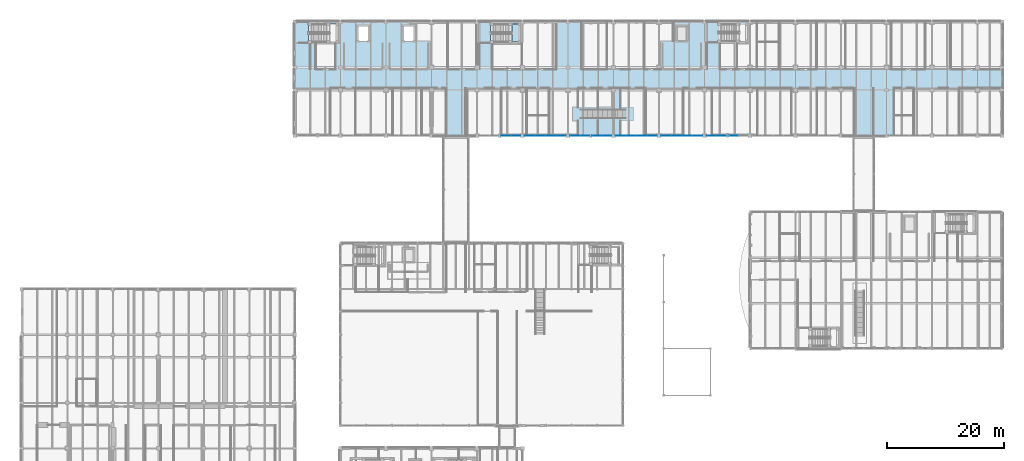
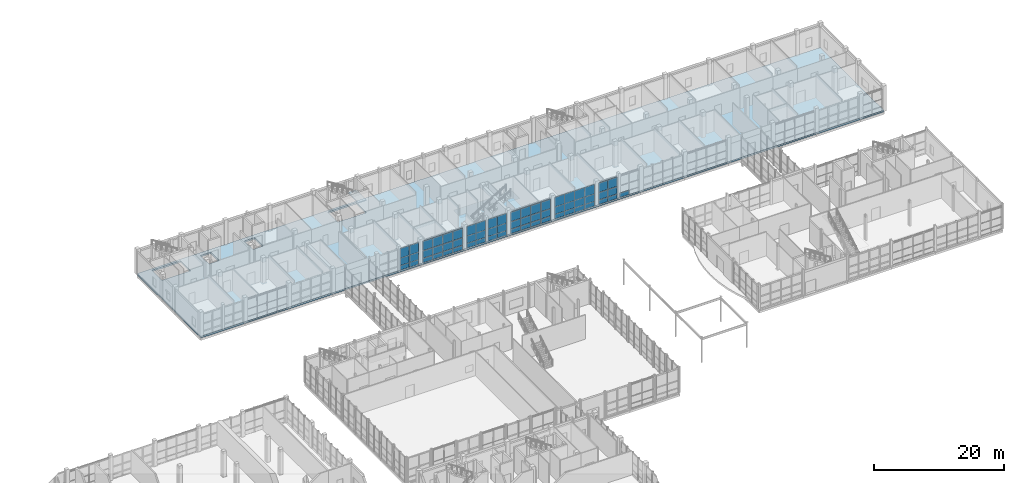
# One storey, part 80 of 131: 61 plates, 2 slabs, 9 elements without a shape of their own.
"""IFC4 building model written with IfcOpenShell, lengths in metres."""

from ifc_helpers import new_model, si_unit, direction, frame, origin, origin_2d, place, context, subcontext, project, spatial, polyline, rectangle, outline, extrude, material, layer, layer_set, type_object, element, aggregate, save


model = new_model("IFC4")

# Units and contexts
model_context = context("Model", 3, precision=1e-05, world=origin(), true_north=direction((0.0, 1.0)))
body_context = subcontext(model_context, "Body", "Model", "MODEL_VIEW")
ifc_project = project(units=[si_unit("LENGTHUNIT", "METRE"), si_unit("AREAUNIT", "SQUARE_METRE"), si_unit("VOLUMEUNIT", "CUBIC_METRE"), si_unit("PLANEANGLEUNIT", "RADIAN"), si_unit("MASSUNIT", "GRAM", prefix="KILO")], contexts=[model_context])

# Site, building, storey
site_placement = place(None, origin())
site = spatial("IfcSite", under=ifc_project, at=site_placement, CompositionType="ELEMENT")
building_placement = place(site_placement, origin())
building = spatial("IfcBuilding", under=site, at=building_placement, Name="Celorna Specialist Clinic", CompositionType="ELEMENT")
storey_placement = place(building_placement, origin())
storey = spatial("IfcBuildingStorey", under=building, at=storey_placement, Name="L00", CompositionType="ELEMENT", Elevation=0.0)

# Curtain wall, plates
ifc_material_1 = material(Name="Thermally broken aluminium and solar-control glass curtain wall", Category="aluminium")
ifc_layer_1 = layer(ifc_material_1, 0.159912109375, Name="Thermally broken aluminium and solar-control glass curtain wall")
ifc_layer_set_1 = layer_set([ifc_layer_1], Name="Thermally broken aluminium and solar-control glass curtain wall")
curtain_wall_type_1 = type_object("IfcCurtainWallType", Name="CW-48", PredefinedType="NOTDEFINED", material=ifc_layer_set_1)
curtain_wall_1_placement = place(storey_placement, origin())
curtain_wall_1 = element("IfcCurtainWall", 1, at=curtain_wall_1_placement, inside=storey, type_object=curtain_wall_type_1, Name="Curtain wall CW-48 #92", PredefinedType="NOTDEFINED")
ifc_material_2 = material(Name="Low-e double glazing", Category="glass")
ifc_layer_2 = layer(ifc_material_2, 0.028076171875, Name="Low-e double glazing")
ifc_layer_set_2 = layer_set([ifc_layer_2], Name="Low-e double glazing")
plate_type_1 = type_object("IfcPlateType", Name="CPN-01", PredefinedType="CURTAIN_PANEL", material=ifc_layer_set_2)
plate_1_placement = place(storey_placement, frame((92.36572265625, 96.5, 0.0498046875), z_axis=(0.0, 0.0, 1.0), x_axis=(-1.0, 0.0, 0.0)))
plate_1 = element("IfcPlate", 2, at=plate_1_placement, type_object=plate_type_1, Name="CW-48 panel 1.1", PredefinedType="CURTAIN_PANEL", context=body_context, shape_type="SweptSolid", body=[
    extrude(rectangle(XDim=1.71044921875, YDim=0.028076171875, at=origin_2d()), origin(), (0.0, 0.0, 1.0), 0.824951171875),
])
plate_2_placement = place(storey_placement, frame((92.36572265625, 96.5, 0.925048828125), z_axis=(0.0, 0.0, 1.0), x_axis=(-1.0, 0.0, 0.0)))
plate_2 = element("IfcPlate", 3, at=plate_2_placement, type_object=plate_type_1, Name="CW-48 panel 1.2", PredefinedType="CURTAIN_PANEL", context=body_context, shape_type="SweptSolid", body=[
    extrude(rectangle(XDim=1.71044921875, YDim=0.028076171875, at=origin_2d()), origin(), (0.0, 0.0, 1.0), 1.35009765625),
])
plate_3_placement = place(storey_placement, frame((92.36572265625, 96.5, 2.3251953125), z_axis=(0.0, 0.0, 1.0), x_axis=(-1.0, 0.0, 0.0)))
plate_3 = element("IfcPlate", 4, at=plate_3_placement, type_object=plate_type_1, Name="CW-48 panel 1.3", PredefinedType="CURTAIN_PANEL", context=body_context, shape_type="SweptSolid", body=[
    extrude(rectangle(XDim=1.71044921875, YDim=0.028076171875, at=origin_2d()), origin(), (0.0, 0.0, 1.0), 1.764892578125),
])
plate_4_placement = place(storey_placement, frame((90.5927734375, 96.5, 0.0498046875), z_axis=(0.0, 0.0, 1.0), x_axis=(-1.0, 0.0, 0.0)))
plate_4 = element("IfcPlate", 5, at=plate_4_placement, type_object=plate_type_1, Name="CW-48 panel 2.1", PredefinedType="CURTAIN_PANEL", context=body_context, shape_type="SweptSolid", body=[
    extrude(rectangle(XDim=1.735595703125, YDim=0.028076171875, at=origin_2d()), origin(), (0.0, 0.0, 1.0), 0.824951171875),
])
plate_5_placement = place(storey_placement, frame((90.5927734375, 96.5, 0.925048828125), z_axis=(0.0, 0.0, 1.0), x_axis=(-1.0, 0.0, 0.0)))
plate_5 = element("IfcPlate", 6, at=plate_5_placement, type_object=plate_type_1, Name="CW-48 panel 2.2", PredefinedType="CURTAIN_PANEL", context=body_context, shape_type="SweptSolid", body=[
    extrude(rectangle(XDim=1.735595703125, YDim=0.028076171875, at=origin_2d()), origin(), (0.0, 0.0, 1.0), 1.35009765625),
])
plate_6_placement = place(storey_placement, frame((90.5927734375, 96.5, 2.3251953125), z_axis=(0.0, 0.0, 1.0), x_axis=(-1.0, 0.0, 0.0)))
plate_6 = element("IfcPlate", 7, at=plate_6_placement, type_object=plate_type_1, Name="CW-48 panel 2.3", PredefinedType="CURTAIN_PANEL", context=body_context, shape_type="SweptSolid", body=[
    extrude(rectangle(XDim=1.735595703125, YDim=0.028076171875, at=origin_2d()), origin(), (0.0, 0.0, 1.0), 1.764892578125),
])
plate_7_placement = place(storey_placement, frame((88.80712890625, 96.5, 0.0498046875), z_axis=(0.0, 0.0, 1.0), x_axis=(-1.0, 0.0, 0.0)))
plate_7 = element("IfcPlate", 8, at=plate_7_placement, type_object=plate_type_1, Name="CW-48 panel 3.1", PredefinedType="CURTAIN_PANEL", context=body_context, shape_type="SweptSolid", body=[
    extrude(rectangle(XDim=1.735595703125, YDim=0.028076171875, at=origin_2d()), origin(), (0.0, 0.0, 1.0), 0.824951171875),
])
plate_8_placement = place(storey_placement, frame((88.80712890625, 96.5, 0.925048828125), z_axis=(0.0, 0.0, 1.0), x_axis=(-1.0, 0.0, 0.0)))
plate_8 = element("IfcPlate", 9, at=plate_8_placement, type_object=plate_type_1, Name="CW-48 panel 3.2", PredefinedType="CURTAIN_PANEL", context=body_context, shape_type="SweptSolid", body=[
    extrude(rectangle(XDim=1.735595703125, YDim=0.028076171875, at=origin_2d()), origin(), (0.0, 0.0, 1.0), 1.35009765625),
])
plate_9_placement = place(storey_placement, frame((88.80712890625, 96.5, 2.3251953125), z_axis=(0.0, 0.0, 1.0), x_axis=(-1.0, 0.0, 0.0)))
plate_9 = element("IfcPlate", 10, at=plate_9_placement, type_object=plate_type_1, Name="CW-48 panel 3.3", PredefinedType="CURTAIN_PANEL", context=body_context, shape_type="SweptSolid", body=[
    extrude(rectangle(XDim=1.735595703125, YDim=0.028076171875, at=origin_2d()), origin(), (0.0, 0.0, 1.0), 1.764892578125),
])
plate_10_placement = place(storey_placement, frame((87.0341796875, 96.5, 0.0498046875), z_axis=(0.0, 0.0, 1.0), x_axis=(-1.0, 0.0, 0.0)))
plate_10 = element("IfcPlate", 11, at=plate_10_placement, type_object=plate_type_1, Name="CW-48 panel 4.1", PredefinedType="CURTAIN_PANEL", context=body_context, shape_type="SweptSolid", body=[
    extrude(rectangle(XDim=1.71044921875, YDim=0.028076171875, at=origin_2d()), origin(), (0.0, 0.0, 1.0), 0.824951171875),
])
plate_11_placement = place(storey_placement, frame((87.0341796875, 96.5, 0.925048828125), z_axis=(0.0, 0.0, 1.0), x_axis=(-1.0, 0.0, 0.0)))
plate_11 = element("IfcPlate", 12, at=plate_11_placement, type_object=plate_type_1, Name="CW-48 panel 4.2", PredefinedType="CURTAIN_PANEL", context=body_context, shape_type="SweptSolid", body=[
    extrude(rectangle(XDim=1.71044921875, YDim=0.028076171875, at=origin_2d()), origin(), (0.0, 0.0, 1.0), 1.35009765625),
])
plate_12_placement = place(storey_placement, frame((87.0341796875, 96.5, 2.3251953125), z_axis=(0.0, 0.0, 1.0), x_axis=(-1.0, 0.0, 0.0)))
plate_12 = element("IfcPlate", 13, at=plate_12_placement, type_object=plate_type_1, Name="CW-48 panel 4.3", PredefinedType="CURTAIN_PANEL", context=body_context, shape_type="SweptSolid", body=[
    extrude(rectangle(XDim=1.71044921875, YDim=0.028076171875, at=origin_2d()), origin(), (0.0, 0.0, 1.0), 1.764892578125),
])
aggregate(curtain_wall_1, [plate_1, plate_2, plate_3, plate_4, plate_5, plate_6, plate_7, plate_8, plate_9, plate_10, plate_11, plate_12])

curtain_wall_2_placement = place(storey_placement, origin())
curtain_wall_2 = element("IfcCurtainWall", 14, at=curtain_wall_2_placement, inside=storey, type_object=curtain_wall_type_1, Name="Curtain wall CW-48 #96", PredefinedType="NOTDEFINED")
plate_13_placement = place(storey_placement, frame((115.765869140625, 96.5, 0.0498046875), z_axis=(0.0, 0.0, 1.0), x_axis=(-1.0, 0.0, 0.0)))
plate_13 = element("IfcPlate", 15, at=plate_13_placement, type_object=plate_type_1, Name="CW-48 panel 1.1", PredefinedType="CURTAIN_PANEL", context=body_context, shape_type="SweptSolid", body=[
    extrude(rectangle(XDim=1.71044921875, YDim=0.028076171875, at=origin_2d()), origin(), (0.0, 0.0, 1.0), 0.824951171875),
])
plate_14_placement = place(storey_placement, frame((115.765869140625, 96.5, 0.925048828125), z_axis=(0.0, 0.0, 1.0), x_axis=(-1.0, 0.0, 0.0)))
plate_14 = element("IfcPlate", 16, at=plate_14_placement, type_object=plate_type_1, Name="CW-48 panel 1.2", PredefinedType="CURTAIN_PANEL", context=body_context, shape_type="SweptSolid", body=[
    extrude(rectangle(XDim=1.71044921875, YDim=0.028076171875, at=origin_2d()), origin(), (0.0, 0.0, 1.0), 1.35009765625),
])
plate_15_placement = place(storey_placement, frame((115.765869140625, 96.5, 2.3251953125), z_axis=(0.0, 0.0, 1.0), x_axis=(-1.0, 0.0, 0.0)))
plate_15 = element("IfcPlate", 17, at=plate_15_placement, type_object=plate_type_1, Name="CW-48 panel 1.3", PredefinedType="CURTAIN_PANEL", context=body_context, shape_type="SweptSolid", body=[
    extrude(rectangle(XDim=1.71044921875, YDim=0.028076171875, at=origin_2d()), origin(), (0.0, 0.0, 1.0), 1.764892578125),
])
plate_16_placement = place(storey_placement, frame((113.99267578125, 96.5, 0.0498046875), z_axis=(0.0, 0.0, 1.0), x_axis=(-1.0, 0.0, 0.0)))
plate_16 = element("IfcPlate", 18, at=plate_16_placement, type_object=plate_type_1, Name="CW-48 panel 2.1", PredefinedType="CURTAIN_PANEL", context=body_context, shape_type="SweptSolid", body=[
    extrude(rectangle(XDim=1.735595703125, YDim=0.028076171875, at=origin_2d()), origin(), (0.0, 0.0, 1.0), 0.824951171875),
])
plate_17_placement = place(storey_placement, frame((113.99267578125, 96.5, 0.925048828125), z_axis=(0.0, 0.0, 1.0), x_axis=(-1.0, 0.0, 0.0)))
plate_17 = element("IfcPlate", 19, at=plate_17_placement, type_object=plate_type_1, Name="CW-48 panel 2.2", PredefinedType="CURTAIN_PANEL", context=body_context, shape_type="SweptSolid", body=[
    extrude(rectangle(XDim=1.735595703125, YDim=0.028076171875, at=origin_2d()), origin(), (0.0, 0.0, 1.0), 1.35009765625),
])
plate_18_placement = place(storey_placement, frame((113.99267578125, 96.5, 2.3251953125), z_axis=(0.0, 0.0, 1.0), x_axis=(-1.0, 0.0, 0.0)))
plate_18 = element("IfcPlate", 20, at=plate_18_placement, type_object=plate_type_1, Name="CW-48 panel 2.3", PredefinedType="CURTAIN_PANEL", context=body_context, shape_type="SweptSolid", body=[
    extrude(rectangle(XDim=1.735595703125, YDim=0.028076171875, at=origin_2d()), origin(), (0.0, 0.0, 1.0), 1.764892578125),
])
plate_19_placement = place(storey_placement, frame((112.207275390625, 96.5, 0.0498046875), z_axis=(0.0, 0.0, 1.0), x_axis=(-1.0, 0.0, 0.0)))
plate_19 = element("IfcPlate", 21, at=plate_19_placement, type_object=plate_type_1, Name="CW-48 panel 3.1", PredefinedType="CURTAIN_PANEL", context=body_context, shape_type="SweptSolid", body=[
    extrude(rectangle(XDim=1.735595703125, YDim=0.028076171875, at=origin_2d()), origin(), (0.0, 0.0, 1.0), 0.824951171875),
])
plate_20_placement = place(storey_placement, frame((112.207275390625, 96.5, 0.925048828125), z_axis=(0.0, 0.0, 1.0), x_axis=(-1.0, 0.0, 0.0)))
plate_20 = element("IfcPlate", 22, at=plate_20_placement, type_object=plate_type_1, Name="CW-48 panel 3.2", PredefinedType="CURTAIN_PANEL", context=body_context, shape_type="SweptSolid", body=[
    extrude(rectangle(XDim=1.735595703125, YDim=0.028076171875, at=origin_2d()), origin(), (0.0, 0.0, 1.0), 1.35009765625),
])
plate_21_placement = place(storey_placement, frame((112.207275390625, 96.5, 2.3251953125), z_axis=(0.0, 0.0, 1.0), x_axis=(-1.0, 0.0, 0.0)))
plate_21 = element("IfcPlate", 23, at=plate_21_placement, type_object=plate_type_1, Name="CW-48 panel 3.3", PredefinedType="CURTAIN_PANEL", context=body_context, shape_type="SweptSolid", body=[
    extrude(rectangle(XDim=1.735595703125, YDim=0.028076171875, at=origin_2d()), origin(), (0.0, 0.0, 1.0), 1.764892578125),
])
plate_22_placement = place(storey_placement, frame((110.434326171875, 96.5, 0.0498046875), z_axis=(0.0, 0.0, 1.0), x_axis=(-1.0, 0.0, 0.0)))
plate_22 = element("IfcPlate", 24, at=plate_22_placement, type_object=plate_type_1, Name="CW-48 panel 4.1", PredefinedType="CURTAIN_PANEL", context=body_context, shape_type="SweptSolid", body=[
    extrude(rectangle(XDim=1.71044921875, YDim=0.028076171875, at=origin_2d()), origin(), (0.0, 0.0, 1.0), 0.824951171875),
])
plate_23_placement = place(storey_placement, frame((110.434326171875, 96.5, 0.925048828125), z_axis=(0.0, 0.0, 1.0), x_axis=(-1.0, 0.0, 0.0)))
plate_23 = element("IfcPlate", 25, at=plate_23_placement, type_object=plate_type_1, Name="CW-48 panel 4.2", PredefinedType="CURTAIN_PANEL", context=body_context, shape_type="SweptSolid", body=[
    extrude(rectangle(XDim=1.71044921875, YDim=0.028076171875, at=origin_2d()), origin(), (0.0, 0.0, 1.0), 1.35009765625),
])
plate_24_placement = place(storey_placement, frame((110.434326171875, 96.5, 2.3251953125), z_axis=(0.0, 0.0, 1.0), x_axis=(-1.0, 0.0, 0.0)))
plate_24 = element("IfcPlate", 26, at=plate_24_placement, type_object=plate_type_1, Name="CW-48 panel 4.3", PredefinedType="CURTAIN_PANEL", context=body_context, shape_type="SweptSolid", body=[
    extrude(rectangle(XDim=1.71044921875, YDim=0.028076171875, at=origin_2d()), origin(), (0.0, 0.0, 1.0), 1.764892578125),
])
aggregate(curtain_wall_2, [plate_13, plate_14, plate_15, plate_16, plate_17, plate_18, plate_19, plate_20, plate_21, plate_22, plate_23, plate_24])

ifc_layer_3 = layer(ifc_material_1, 0.159912109375, Name="Thermally broken aluminium and solar-control glass curtain wall")
ifc_layer_set_3 = layer_set([ifc_layer_3], Name="Thermally broken aluminium and solar-control glass curtain wall")
curtain_wall_type_2 = type_object("IfcCurtainWallType", Name="CW-46", PredefinedType="NOTDEFINED", material=ifc_layer_set_3)
curtain_wall_3_placement = place(storey_placement, origin())
curtain_wall_3 = element("IfcCurtainWall", 27, at=curtain_wall_3_placement, inside=storey, type_object=curtain_wall_type_2, Name="Curtain wall CW-46 #93", PredefinedType="NOTDEFINED")
ifc_material_3 = material(Name="Solar-control triple glazing", Category="glass")
ifc_layer_4 = layer(ifc_material_3, 0.035888671875, Name="Solar-control triple glazing")
ifc_layer_set_4 = layer_set([ifc_layer_4], Name="Solar-control triple glazing")
plate_type_2 = type_object("IfcPlateType", Name="CPN-02", PredefinedType="CURTAIN_PANEL", material=ifc_layer_set_4)
plate_25_placement = place(storey_placement, frame((100.21044921875, 96.5, 0.0498046875), z_axis=(0.0, 0.0, 1.0), x_axis=(-1.0, 0.0, 0.0)))
plate_25 = element("IfcPlate", 28, at=plate_25_placement, type_object=plate_type_2, Name="CW-46 panel 1.1", PredefinedType="CURTAIN_PANEL", context=body_context, shape_type="SweptSolid", body=[
    extrude(rectangle(XDim=1.62109375, YDim=0.035888671875, at=origin_2d()), origin(), (0.0, 0.0, 1.0), 0.824951171875),
])
plate_26_placement = place(storey_placement, frame((100.21044921875, 96.5, 0.925048828125), z_axis=(0.0, 0.0, 1.0), x_axis=(-1.0, 0.0, 0.0)))
plate_26 = element("IfcPlate", 29, at=plate_26_placement, type_object=plate_type_2, Name="CW-46 panel 1.2", PredefinedType="CURTAIN_PANEL", context=body_context, shape_type="SweptSolid", body=[
    extrude(rectangle(XDim=1.62109375, YDim=0.035888671875, at=origin_2d()), origin(), (0.0, 0.0, 1.0), 1.35009765625),
])
plate_27_placement = place(storey_placement, frame((100.21044921875, 96.5, 2.3251953125), z_axis=(0.0, 0.0, 1.0), x_axis=(-1.0, 0.0, 0.0)))
plate_27 = element("IfcPlate", 30, at=plate_27_placement, type_object=plate_type_2, Name="CW-46 panel 1.3", PredefinedType="CURTAIN_PANEL", context=body_context, shape_type="SweptSolid", body=[
    extrude(rectangle(XDim=1.62109375, YDim=0.035888671875, at=origin_2d()), origin(), (0.0, 0.0, 1.0), 1.764892578125),
])
plate_28_placement = place(storey_placement, frame((98.53955078125, 96.5, 0.0498046875), z_axis=(0.0, 0.0, 1.0), x_axis=(-1.0, 0.0, 0.0)))
plate_28 = element("IfcPlate", 31, at=plate_28_placement, type_object=plate_type_2, Name="CW-46 panel 2.1", PredefinedType="CURTAIN_PANEL", context=body_context, shape_type="SweptSolid", body=[
    extrude(rectangle(XDim=1.62109375, YDim=0.035888671875, at=origin_2d()), origin(), (0.0, 0.0, 1.0), 0.824951171875),
])
plate_29_placement = place(storey_placement, frame((98.53955078125, 96.5, 0.925048828125), z_axis=(0.0, 0.0, 1.0), x_axis=(-1.0, 0.0, 0.0)))
plate_29 = element("IfcPlate", 32, at=plate_29_placement, type_object=plate_type_2, Name="CW-46 panel 2.2", PredefinedType="CURTAIN_PANEL", context=body_context, shape_type="SweptSolid", body=[
    extrude(rectangle(XDim=1.62109375, YDim=0.035888671875, at=origin_2d()), origin(), (0.0, 0.0, 1.0), 1.35009765625),
])
plate_30_placement = place(storey_placement, frame((98.53955078125, 96.5, 2.3251953125), z_axis=(0.0, 0.0, 1.0), x_axis=(-1.0, 0.0, 0.0)))
plate_30 = element("IfcPlate", 33, at=plate_30_placement, type_object=plate_type_2, Name="CW-46 panel 2.3", PredefinedType="CURTAIN_PANEL", context=body_context, shape_type="SweptSolid", body=[
    extrude(rectangle(XDim=1.62109375, YDim=0.035888671875, at=origin_2d()), origin(), (0.0, 0.0, 1.0), 1.764892578125),
])
aggregate(curtain_wall_3, [plate_25, plate_26, plate_27, plate_28, plate_29, plate_30])

curtain_wall_4_placement = place(storey_placement, origin())
curtain_wall_4 = element("IfcCurtainWall", 34, at=curtain_wall_4_placement, inside=storey, type_object=curtain_wall_type_2, Name="Curtain wall CW-46 #94", PredefinedType="NOTDEFINED")
plate_31_placement = place(storey_placement, frame((96.46044921875, 96.5, 0.0498046875), z_axis=(0.0, 0.0, 1.0), x_axis=(-1.0, 0.0, 0.0)))
plate_31 = element("IfcPlate", 35, at=plate_31_placement, type_object=plate_type_2, Name="CW-46 panel 1.1", PredefinedType="CURTAIN_PANEL", context=body_context, shape_type="SweptSolid", body=[
    extrude(rectangle(XDim=1.62109375, YDim=0.035888671875, at=origin_2d()), origin(), (0.0, 0.0, 1.0), 0.824951171875),
])
plate_32_placement = place(storey_placement, frame((96.46044921875, 96.5, 0.925048828125), z_axis=(0.0, 0.0, 1.0), x_axis=(-1.0, 0.0, 0.0)))
plate_32 = element("IfcPlate", 36, at=plate_32_placement, type_object=plate_type_2, Name="CW-46 panel 1.2", PredefinedType="CURTAIN_PANEL", context=body_context, shape_type="SweptSolid", body=[
    extrude(rectangle(XDim=1.62109375, YDim=0.035888671875, at=origin_2d()), origin(), (0.0, 0.0, 1.0), 1.35009765625),
])
plate_33_placement = place(storey_placement, frame((96.46044921875, 96.5, 2.3251953125), z_axis=(0.0, 0.0, 1.0), x_axis=(-1.0, 0.0, 0.0)))
plate_33 = element("IfcPlate", 37, at=plate_33_placement, type_object=plate_type_2, Name="CW-46 panel 1.3", PredefinedType="CURTAIN_PANEL", context=body_context, shape_type="SweptSolid", body=[
    extrude(rectangle(XDim=1.62109375, YDim=0.035888671875, at=origin_2d()), origin(), (0.0, 0.0, 1.0), 1.764892578125),
])
plate_34_placement = place(storey_placement, frame((94.78955078125, 96.5, 0.0498046875), z_axis=(0.0, 0.0, 1.0), x_axis=(-1.0, 0.0, 0.0)))
plate_34 = element("IfcPlate", 38, at=plate_34_placement, type_object=plate_type_2, Name="CW-46 panel 2.1", PredefinedType="CURTAIN_PANEL", context=body_context, shape_type="SweptSolid", body=[
    extrude(rectangle(XDim=1.62109375, YDim=0.035888671875, at=origin_2d()), origin(), (0.0, 0.0, 1.0), 0.824951171875),
])
plate_35_placement = place(storey_placement, frame((94.78955078125, 96.5, 0.925048828125), z_axis=(0.0, 0.0, 1.0), x_axis=(-1.0, 0.0, 0.0)))
plate_35 = element("IfcPlate", 39, at=plate_35_placement, type_object=plate_type_2, Name="CW-46 panel 2.2", PredefinedType="CURTAIN_PANEL", context=body_context, shape_type="SweptSolid", body=[
    extrude(rectangle(XDim=1.62109375, YDim=0.035888671875, at=origin_2d()), origin(), (0.0, 0.0, 1.0), 1.35009765625),
])
plate_36_placement = place(storey_placement, frame((94.78955078125, 96.5, 2.3251953125), z_axis=(0.0, 0.0, 1.0), x_axis=(-1.0, 0.0, 0.0)))
plate_36 = element("IfcPlate", 40, at=plate_36_placement, type_object=plate_type_2, Name="CW-46 panel 2.3", PredefinedType="CURTAIN_PANEL", context=body_context, shape_type="SweptSolid", body=[
    extrude(rectangle(XDim=1.62109375, YDim=0.035888671875, at=origin_2d()), origin(), (0.0, 0.0, 1.0), 1.764892578125),
])
aggregate(curtain_wall_4, [plate_31, plate_32, plate_33, plate_34, plate_35, plate_36])

# Curtain wall, plate
curtain_wall_5_placement = place(storey_placement, origin())
curtain_wall_5 = element("IfcCurtainWall", 41, at=curtain_wall_5_placement, inside=storey, type_object=curtain_wall_type_2, Name="Curtain wall CW-46 #97", PredefinedType="NOTDEFINED")
plate_37_placement = place(storey_placement, frame((121.939453125, 96.5, 0.0498046875), z_axis=(0.0, 0.0, 1.0), x_axis=(-1.0, 0.0, 0.0)))
plate_37 = element("IfcPlate", 42, at=plate_37_placement, type_object=plate_type_2, Name="CW-46 panel 2.1", PredefinedType="CURTAIN_PANEL", context=body_context, shape_type="SweptSolid", body=[
    extrude(rectangle(XDim=1.62109375, YDim=0.035888671875, at=origin_2d()), origin(), (0.0, 0.0, 1.0), 0.824951171875),
])
aggregate(curtain_wall_5, [plate_37])

# Curtain wall, plates
curtain_wall_6_placement = place(storey_placement, origin())
curtain_wall_6 = element("IfcCurtainWall", 43, at=curtain_wall_6_placement, inside=storey, type_object=curtain_wall_type_2, Name="Curtain wall CW-46 #98", PredefinedType="NOTDEFINED")
plate_38_placement = place(storey_placement, frame((119.860595703125, 96.5, 0.0498046875), z_axis=(0.0, 0.0, 1.0), x_axis=(-1.0, 0.0, 0.0)))
plate_38 = element("IfcPlate", 44, at=plate_38_placement, type_object=plate_type_2, Name="CW-46 panel 1.1", PredefinedType="CURTAIN_PANEL", context=body_context, shape_type="SweptSolid", body=[
    extrude(rectangle(XDim=1.62109375, YDim=0.035888671875, at=origin_2d()), origin(), (0.0, 0.0, 1.0), 0.824951171875),
])
plate_39_placement = place(storey_placement, frame((119.860595703125, 96.5, 0.925048828125), z_axis=(0.0, 0.0, 1.0), x_axis=(-1.0, 0.0, 0.0)))
plate_39 = element("IfcPlate", 45, at=plate_39_placement, type_object=plate_type_2, Name="CW-46 panel 1.2", PredefinedType="CURTAIN_PANEL", context=body_context, shape_type="SweptSolid", body=[
    extrude(rectangle(XDim=1.62109375, YDim=0.035888671875, at=origin_2d()), origin(), (0.0, 0.0, 1.0), 1.35009765625),
])
plate_40_placement = place(storey_placement, frame((119.860595703125, 96.5, 2.3251953125), z_axis=(0.0, 0.0, 1.0), x_axis=(-1.0, 0.0, 0.0)))
plate_40 = element("IfcPlate", 46, at=plate_40_placement, type_object=plate_type_2, Name="CW-46 panel 1.3", PredefinedType="CURTAIN_PANEL", context=body_context, shape_type="SweptSolid", body=[
    extrude(rectangle(XDim=1.62109375, YDim=0.035888671875, at=origin_2d()), origin(), (0.0, 0.0, 1.0), 1.764892578125),
])
plate_41_placement = place(storey_placement, frame((118.189453125, 96.5, 0.0498046875), z_axis=(0.0, 0.0, 1.0), x_axis=(-1.0, 0.0, 0.0)))
plate_41 = element("IfcPlate", 47, at=plate_41_placement, type_object=plate_type_2, Name="CW-46 panel 2.1", PredefinedType="CURTAIN_PANEL", context=body_context, shape_type="SweptSolid", body=[
    extrude(rectangle(XDim=1.62109375, YDim=0.035888671875, at=origin_2d()), origin(), (0.0, 0.0, 1.0), 0.824951171875),
])
plate_42_placement = place(storey_placement, frame((118.189453125, 96.5, 0.925048828125), z_axis=(0.0, 0.0, 1.0), x_axis=(-1.0, 0.0, 0.0)))
plate_42 = element("IfcPlate", 48, at=plate_42_placement, type_object=plate_type_2, Name="CW-46 panel 2.2", PredefinedType="CURTAIN_PANEL", context=body_context, shape_type="SweptSolid", body=[
    extrude(rectangle(XDim=1.62109375, YDim=0.035888671875, at=origin_2d()), origin(), (0.0, 0.0, 1.0), 1.35009765625),
])
plate_43_placement = place(storey_placement, frame((118.189453125, 96.5, 2.3251953125), z_axis=(0.0, 0.0, 1.0), x_axis=(-1.0, 0.0, 0.0)))
plate_43 = element("IfcPlate", 49, at=plate_43_placement, type_object=plate_type_2, Name="CW-46 panel 2.3", PredefinedType="CURTAIN_PANEL", context=body_context, shape_type="SweptSolid", body=[
    extrude(rectangle(XDim=1.62109375, YDim=0.035888671875, at=origin_2d()), origin(), (0.0, 0.0, 1.0), 1.764892578125),
])
aggregate(curtain_wall_6, [plate_38, plate_39, plate_40, plate_41, plate_42, plate_43])

ifc_layer_5 = layer(ifc_material_1, 0.159912109375, Name="Thermally broken aluminium and solar-control glass curtain wall")
ifc_layer_set_5 = layer_set([ifc_layer_5], Name="Thermally broken aluminium and solar-control glass curtain wall")
curtain_wall_type_3 = type_object("IfcCurtainWallType", Name="CW-49", PredefinedType="NOTDEFINED", material=ifc_layer_set_5)
curtain_wall_7_placement = place(storey_placement, origin())
curtain_wall_7 = element("IfcCurtainWall", 50, at=curtain_wall_7_placement, inside=storey, type_object=curtain_wall_type_3, Name="Curtain wall CW-49 #90", PredefinedType="NOTDEFINED")
ifc_material_4 = material(Name="Glazed polychrome ceramic insulated spandrel")
ifc_layer_6 = layer(ifc_material_4, 0.0439453125, Name="Glazed polychrome ceramic insulated spandrel")
ifc_layer_set_6 = layer_set([ifc_layer_6], Name="Glazed polychrome ceramic insulated spandrel")
plate_type_3 = type_object("IfcPlateType", Name="CPN-03", PredefinedType="CURTAIN_PANEL", material=ifc_layer_set_6)
plate_44_placement = place(storey_placement, frame((84.610595703125, 96.5, 0.0498046875), z_axis=(0.0, 0.0, 1.0), x_axis=(-1.0, 0.0, 0.0)))
plate_44 = element("IfcPlate", 51, at=plate_44_placement, type_object=plate_type_3, Name="CW-49 panel 1.1", PredefinedType="CURTAIN_PANEL", context=body_context, shape_type="SweptSolid", body=[
    extrude(rectangle(XDim=1.62109375, YDim=0.0439453125, at=origin_2d()), origin(), (0.0, 0.0, 1.0), 0.824951171875),
])
plate_45_placement = place(storey_placement, frame((84.610595703125, 96.5, 0.925048828125), z_axis=(0.0, 0.0, 1.0), x_axis=(-1.0, 0.0, 0.0)))
plate_45 = element("IfcPlate", 52, at=plate_45_placement, type_object=plate_type_3, Name="CW-49 panel 1.2", PredefinedType="CURTAIN_PANEL", context=body_context, shape_type="SweptSolid", body=[
    extrude(rectangle(XDim=1.62109375, YDim=0.0439453125, at=origin_2d()), origin(), (0.0, 0.0, 1.0), 1.35009765625),
])
plate_46_placement = place(storey_placement, frame((84.610595703125, 96.5, 2.3251953125), z_axis=(0.0, 0.0, 1.0), x_axis=(-1.0, 0.0, 0.0)))
plate_46 = element("IfcPlate", 53, at=plate_46_placement, type_object=plate_type_3, Name="CW-49 panel 1.3", PredefinedType="CURTAIN_PANEL", context=body_context, shape_type="SweptSolid", body=[
    extrude(rectangle(XDim=1.62109375, YDim=0.0439453125, at=origin_2d()), origin(), (0.0, 0.0, 1.0), 1.764892578125),
])
plate_47_placement = place(storey_placement, frame((82.939453125, 96.5, 0.0498046875), z_axis=(0.0, 0.0, 1.0), x_axis=(-1.0, 0.0, 0.0)))
plate_47 = element("IfcPlate", 54, at=plate_47_placement, type_object=plate_type_3, Name="CW-49 panel 2.1", PredefinedType="CURTAIN_PANEL", context=body_context, shape_type="SweptSolid", body=[
    extrude(rectangle(XDim=1.62109375, YDim=0.0439453125, at=origin_2d()), origin(), (0.0, 0.0, 1.0), 0.824951171875),
])
plate_48_placement = place(storey_placement, frame((82.939453125, 96.5, 0.925048828125), z_axis=(0.0, 0.0, 1.0), x_axis=(-1.0, 0.0, 0.0)))
plate_48 = element("IfcPlate", 55, at=plate_48_placement, type_object=plate_type_3, Name="CW-49 panel 2.2", PredefinedType="CURTAIN_PANEL", context=body_context, shape_type="SweptSolid", body=[
    extrude(rectangle(XDim=1.62109375, YDim=0.0439453125, at=origin_2d()), origin(), (0.0, 0.0, 1.0), 1.35009765625),
])
plate_49_placement = place(storey_placement, frame((82.939453125, 96.5, 2.3251953125), z_axis=(0.0, 0.0, 1.0), x_axis=(-1.0, 0.0, 0.0)))
plate_49 = element("IfcPlate", 56, at=plate_49_placement, type_object=plate_type_3, Name="CW-49 panel 2.3", PredefinedType="CURTAIN_PANEL", context=body_context, shape_type="SweptSolid", body=[
    extrude(rectangle(XDim=1.62109375, YDim=0.0439453125, at=origin_2d()), origin(), (0.0, 0.0, 1.0), 1.764892578125),
])
aggregate(curtain_wall_7, [plate_44, plate_45, plate_46, plate_47, plate_48, plate_49])

ifc_layer_7 = layer(ifc_material_1, 0.159912109375, Name="Thermally broken aluminium and solar-control glass curtain wall")
ifc_layer_set_7 = layer_set([ifc_layer_7], Name="Thermally broken aluminium and solar-control glass curtain wall")
curtain_wall_type_4 = type_object("IfcCurtainWallType", Name="CW-47", PredefinedType="NOTDEFINED", material=ifc_layer_set_7)
curtain_wall_8_placement = place(storey_placement, origin())
curtain_wall_8 = element("IfcCurtainWall", 57, at=curtain_wall_8_placement, inside=storey, type_object=curtain_wall_type_4, Name="Curtain wall CW-47 #95", PredefinedType="NOTDEFINED")
plate_50_placement = place(storey_placement, frame((107.9658203125, 96.5, 0.0498046875), z_axis=(0.0, 0.0, 1.0), x_axis=(-1.0, 0.0, 0.0)))
plate_50 = element("IfcPlate", 58, at=plate_50_placement, type_object=plate_type_3, Name="CW-47 panel 1.1", PredefinedType="CURTAIN_PANEL", context=body_context, shape_type="SweptSolid", body=[
    extrude(rectangle(XDim=1.71044921875, YDim=0.0439453125, at=origin_2d()), origin(), (0.0, 0.0, 1.0), 0.824951171875),
])
plate_51_placement = place(storey_placement, frame((107.9658203125, 96.5, 0.925048828125), z_axis=(0.0, 0.0, 1.0), x_axis=(-1.0, 0.0, 0.0)))
plate_51 = element("IfcPlate", 59, at=plate_51_placement, type_object=plate_type_3, Name="CW-47 panel 1.2", PredefinedType="CURTAIN_PANEL", context=body_context, shape_type="SweptSolid", body=[
    extrude(rectangle(XDim=1.71044921875, YDim=0.0439453125, at=origin_2d()), origin(), (0.0, 0.0, 1.0), 1.35009765625),
])
plate_52_placement = place(storey_placement, frame((107.9658203125, 96.5, 2.3251953125), z_axis=(0.0, 0.0, 1.0), x_axis=(-1.0, 0.0, 0.0)))
plate_52 = element("IfcPlate", 60, at=plate_52_placement, type_object=plate_type_3, Name="CW-47 panel 1.3", PredefinedType="CURTAIN_PANEL", context=body_context, shape_type="SweptSolid", body=[
    extrude(rectangle(XDim=1.71044921875, YDim=0.0439453125, at=origin_2d()), origin(), (0.0, 0.0, 1.0), 1.764892578125),
])
plate_53_placement = place(storey_placement, frame((106.19287109375, 96.5, 0.0498046875), z_axis=(0.0, 0.0, 1.0), x_axis=(-1.0, 0.0, 0.0)))
plate_53 = element("IfcPlate", 61, at=plate_53_placement, type_object=plate_type_3, Name="CW-47 panel 2.1", PredefinedType="CURTAIN_PANEL", context=body_context, shape_type="SweptSolid", body=[
    extrude(rectangle(XDim=1.735595703125, YDim=0.0439453125, at=origin_2d()), origin(), (0.0, 0.0, 1.0), 0.824951171875),
])
plate_54_placement = place(storey_placement, frame((106.19287109375, 96.5, 0.925048828125), z_axis=(0.0, 0.0, 1.0), x_axis=(-1.0, 0.0, 0.0)))
plate_54 = element("IfcPlate", 62, at=plate_54_placement, type_object=plate_type_3, Name="CW-47 panel 2.2", PredefinedType="CURTAIN_PANEL", context=body_context, shape_type="SweptSolid", body=[
    extrude(rectangle(XDim=1.735595703125, YDim=0.0439453125, at=origin_2d()), origin(), (0.0, 0.0, 1.0), 1.35009765625),
])
plate_55_placement = place(storey_placement, frame((106.19287109375, 96.5, 2.3251953125), z_axis=(0.0, 0.0, 1.0), x_axis=(-1.0, 0.0, 0.0)))
plate_55 = element("IfcPlate", 63, at=plate_55_placement, type_object=plate_type_3, Name="CW-47 panel 2.3", PredefinedType="CURTAIN_PANEL", context=body_context, shape_type="SweptSolid", body=[
    extrude(rectangle(XDim=1.735595703125, YDim=0.0439453125, at=origin_2d()), origin(), (0.0, 0.0, 1.0), 1.764892578125),
])
plate_56_placement = place(storey_placement, frame((104.4072265625, 96.5, 0.0498046875), z_axis=(0.0, 0.0, 1.0), x_axis=(-1.0, 0.0, 0.0)))
plate_56 = element("IfcPlate", 64, at=plate_56_placement, type_object=plate_type_3, Name="CW-47 panel 3.1", PredefinedType="CURTAIN_PANEL", context=body_context, shape_type="SweptSolid", body=[
    extrude(rectangle(XDim=1.735595703125, YDim=0.0439453125, at=origin_2d()), origin(), (0.0, 0.0, 1.0), 0.824951171875),
])
plate_57_placement = place(storey_placement, frame((104.4072265625, 96.5, 0.925048828125), z_axis=(0.0, 0.0, 1.0), x_axis=(-1.0, 0.0, 0.0)))
plate_57 = element("IfcPlate", 65, at=plate_57_placement, type_object=plate_type_3, Name="CW-47 panel 3.2", PredefinedType="CURTAIN_PANEL", context=body_context, shape_type="SweptSolid", body=[
    extrude(rectangle(XDim=1.735595703125, YDim=0.0439453125, at=origin_2d()), origin(), (0.0, 0.0, 1.0), 1.35009765625),
])
plate_58_placement = place(storey_placement, frame((104.4072265625, 96.5, 2.3251953125), z_axis=(0.0, 0.0, 1.0), x_axis=(-1.0, 0.0, 0.0)))
plate_58 = element("IfcPlate", 66, at=plate_58_placement, type_object=plate_type_3, Name="CW-47 panel 3.3", PredefinedType="CURTAIN_PANEL", context=body_context, shape_type="SweptSolid", body=[
    extrude(rectangle(XDim=1.735595703125, YDim=0.0439453125, at=origin_2d()), origin(), (0.0, 0.0, 1.0), 1.764892578125),
])
plate_59_placement = place(storey_placement, frame((102.63427734375, 96.5, 0.0498046875), z_axis=(0.0, 0.0, 1.0), x_axis=(-1.0, 0.0, 0.0)))
plate_59 = element("IfcPlate", 67, at=plate_59_placement, type_object=plate_type_3, Name="CW-47 panel 4.1", PredefinedType="CURTAIN_PANEL", context=body_context, shape_type="SweptSolid", body=[
    extrude(rectangle(XDim=1.71044921875, YDim=0.0439453125, at=origin_2d()), origin(), (0.0, 0.0, 1.0), 0.824951171875),
])
plate_60_placement = place(storey_placement, frame((102.63427734375, 96.5, 0.925048828125), z_axis=(0.0, 0.0, 1.0), x_axis=(-1.0, 0.0, 0.0)))
plate_60 = element("IfcPlate", 68, at=plate_60_placement, type_object=plate_type_3, Name="CW-47 panel 4.2", PredefinedType="CURTAIN_PANEL", context=body_context, shape_type="SweptSolid", body=[
    extrude(rectangle(XDim=1.71044921875, YDim=0.0439453125, at=origin_2d()), origin(), (0.0, 0.0, 1.0), 1.35009765625),
])
plate_61_placement = place(storey_placement, frame((102.63427734375, 96.5, 2.3251953125), z_axis=(0.0, 0.0, 1.0), x_axis=(-1.0, 0.0, 0.0)))
plate_61 = element("IfcPlate", 69, at=plate_61_placement, type_object=plate_type_3, Name="CW-47 panel 4.3", PredefinedType="CURTAIN_PANEL", context=body_context, shape_type="SweptSolid", body=[
    extrude(rectangle(XDim=1.71044921875, YDim=0.0439453125, at=origin_2d()), origin(), (0.0, 0.0, 1.0), 1.764892578125),
])
aggregate(curtain_wall_8, [plate_50, plate_51, plate_52, plate_53, plate_54, plate_55, plate_56, plate_57, plate_58, plate_59, plate_60, plate_61])

# Slab
ifc_material_5 = material(Name="Concrete C35/45", Category="concrete")
ifc_layer_8 = layer(ifc_material_5, 0.300048828125, Name="Concrete C35/45")
ifc_layer_set_8 = layer_set([ifc_layer_8], Name="Concrete C35/45")
slab_type_1 = type_object("IfcSlabType", Name="SL-06", PredefinedType="FLOOR", material=ifc_layer_set_8)
slab_1_placement = place(storey_placement, frame((0.0, 0.0, -0.300048828125)))
element("IfcSlab", 70, at=slab_1_placement, inside=storey, type_object=slab_type_1, Name="V4 L00 structural slab SL-06", PredefinedType="FLOOR", context=body_context, shape_type="SweptSolid", body=[
    extrude(outline(polyline([(168.0, 96.5), (168.0, 116.0), (46.800048828125, 116.0), (46.800048828125, 96.5), (168.0, 96.5)]), holes=[polyline([(49.139892578125, 112.52001953125), (54.239990234375, 112.52001953125), (54.239990234375, 115.6201171875), (49.139892578125, 115.6201171875), (49.139892578125, 112.52001953125)]), polyline([(80.340087890625, 112.52001953125), (85.43994140625, 112.52001953125), (85.43994140625, 115.6201171875), (80.340087890625, 115.6201171875), (80.340087890625, 112.52001953125)]), polyline([(57.594970703125, 112.695068359375), (59.405029296875, 112.695068359375), (59.405029296875, 115.304931640625), (57.594970703125, 115.304931640625), (57.594970703125, 112.695068359375)]), polyline([(65.39501953125, 112.695068359375), (67.205078125, 112.695068359375), (67.205078125, 115.304931640625), (65.39501953125, 115.304931640625), (65.39501953125, 112.695068359375)])]), origin(), (0.0, 0.0, 1.0), 0.300048828125),
])

# Stair, slab
stair_type = type_object("IfcStairType", Name="ST-02", PredefinedType="HALF_TURN_STAIR", material=ifc_material_5)
stair_placement = place(storey_placement, origin())
stair = element("IfcStair", 71, at=stair_placement, inside=storey, type_object=stair_type, Name="L00 Protected exit stair ST-02", PredefinedType="HALF_TURN_STAIR")
ifc_layer_9 = layer(ifc_material_5, 0.199951171875, Name="Concrete C35/45")
ifc_layer_set_9 = layer_set([ifc_layer_9], Name="Concrete C35/45")
slab_type_2 = type_object("IfcSlabType", Name="SL-11", PredefinedType="LANDING", material=ifc_layer_set_9)
slab_2_placement = place(storey_placement, frame((0.0, 0.0, 2.199951171875)))
slab_2 = element("IfcSlab", 72, at=slab_2_placement, type_object=slab_type_2, Name="ST-02 landing 1", PredefinedType="LANDING", context=body_context, shape_type="SweptSolid", body=[
    extrude(outline(polyline([(83.97998046875, 112.52001953125), (85.43994140625, 112.52001953125), (85.43994140625, 115.6201171875), (83.97998046875, 115.6201171875), (83.97998046875, 112.52001953125)])), origin(), (0.0, 0.0, 1.0), 0.199951171875),
])
aggregate(stair, [slab_2])

save(model, "model.ifc")
